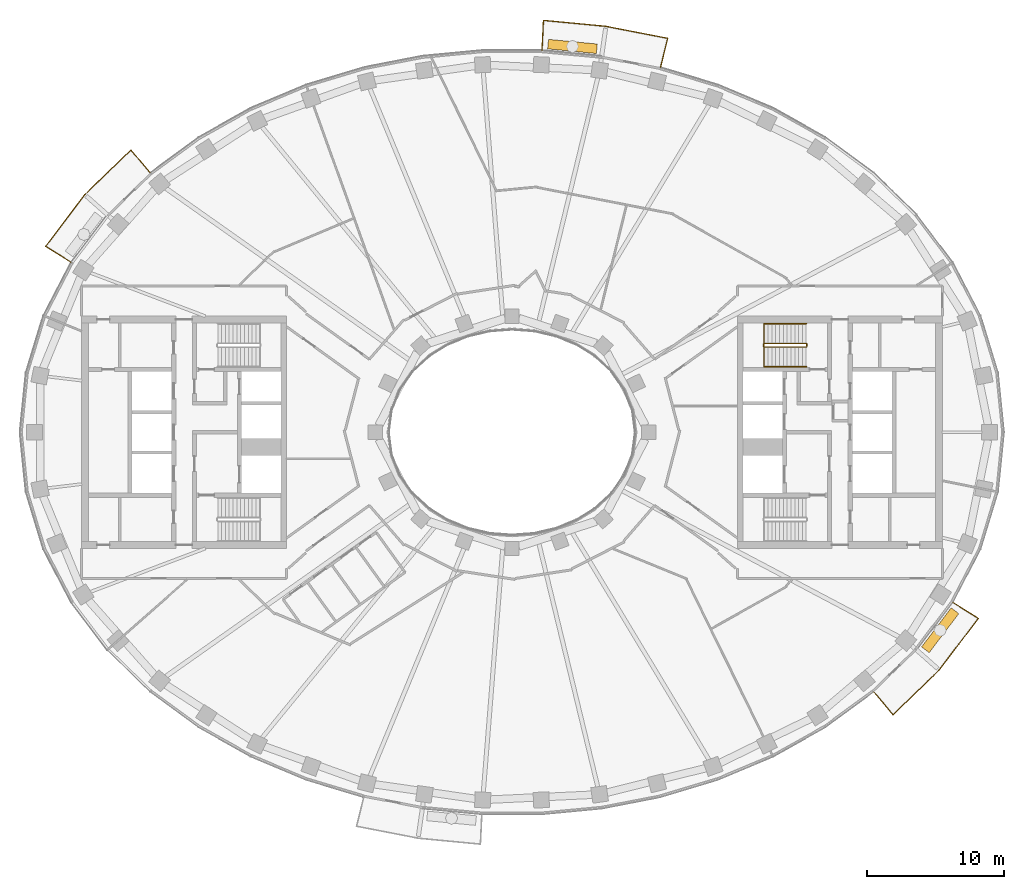
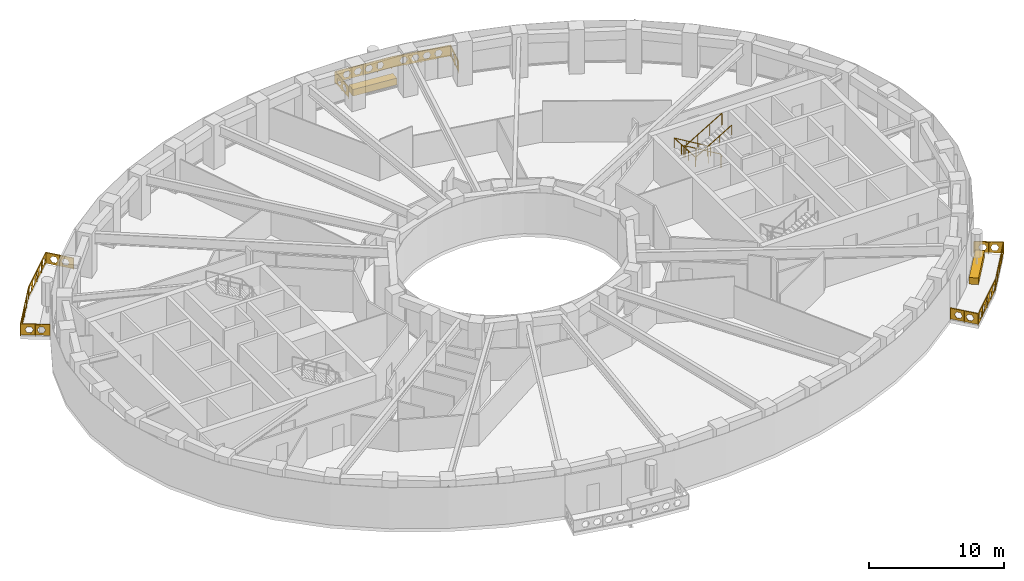
# One storey, part 15 of 16: 5 railings, 2 coverings.
"""IFC4 building model written with IfcOpenShell, lengths in metres."""

from ifc_helpers import new_model, si_unit, direction, frame, origin, origin_2d, place, context, subcontext, project, spatial, polyline, rectangle, outline, extrude, material, type_object, element, save


model = new_model("IFC4")

# Units and contexts
model_context = context("Model", 3, precision=1e-05, world=origin(), true_north=direction((0.0, 1.0)))
body_context = subcontext(model_context, "Body", "Model", "MODEL_VIEW")
ifc_project = project(units=[si_unit("LENGTHUNIT", "METRE"), si_unit("AREAUNIT", "SQUARE_METRE"), si_unit("VOLUMEUNIT", "CUBIC_METRE"), si_unit("PLANEANGLEUNIT", "RADIAN"), si_unit("MASSUNIT", "GRAM", prefix="KILO")], contexts=[model_context])

# Site, building, storey
site_placement = place(None, origin())
site = spatial("IfcSite", under=ifc_project, at=site_placement, CompositionType="ELEMENT")
building_placement = place(site_placement, origin())
building = spatial("IfcBuilding", under=site, at=building_placement, Name="Noorbagh Ring Tower", CompositionType="ELEMENT")
storey_placement = place(building_placement, frame((0.0, 0.0, 178.0)))
storey = spatial("IfcBuildingStorey", under=building, at=storey_placement, Name="L41", CompositionType="ELEMENT", Elevation=178.0)

# Railings
ifc_material_1 = material(Name="Stainless steel", Category="steel")
railing_type_1 = type_object("IfcRailingType", Name="CORE-STAIR-GUARD", PredefinedType="GUARDRAIL", material=ifc_material_1)
railing_1_placement = place(storey_placement, frame((21.580078125, 6.449951171875, 0.0)))
element("IfcRailing", 1, at=railing_1_placement, inside=storey, type_object=railing_type_1, Name="L41 ST3 stair guard", PredefinedType="GUARDRAIL", context=body_context, shape_type="SweptSolid", body=[
    extrude(rectangle(XDim=0.048095703125, YDim=0.048095703125, at=origin_2d()), frame((0.0, 0.0, 1.076171875), z_axis=(0.0, -1.0, 0.0), x_axis=(1.0, 0.0, 0.0)), (0.0, 0.0, 1.0), 0.14990234375),
    extrude(rectangle(XDim=0.048095703125, YDim=0.048095703125, at=origin_2d()), frame((0.0, -0.14990234375, 1.076171875), z_axis=(-0.188775798145, 0.754182335027, 0.628945707965), x_axis=(-0.970072785993, -0.242814311512, 0.0)), (0.0, 0.0, 1.0), 0.26513671875),
    extrude(rectangle(XDim=0.048095703125, YDim=0.048095703125, at=origin_2d()), frame((-0.050048828125, 0.050048828125, 1.24267578125), z_axis=(-0.859308565015, 0.0, 0.511457515432), x_axis=(0.0, -1.0, 0.0)), (0.0, 0.0, 1.0), 3.58447265625),
    extrude(rectangle(XDim=0.048095703125, YDim=0.048095703125, at=origin_2d()), frame((-3.130126953125, 0.050048828125, 3.076171875), z_axis=(-0.707106781187, -0.707106781187, 0.0), x_axis=(0.707106781187, -0.707106781187, 0.0)), (0.0, 0.0, 1.0), 0.07080078125),
    extrude(rectangle(XDim=0.048095703125, YDim=0.048095703125, at=origin_2d()), frame((-3.18017578125, 0.0, 3.076171875), z_axis=(0.0, -1.0, 0.0), x_axis=(1.0, 0.0, 0.0)), (0.0, 0.0, 1.0), 0.14990234375),
    extrude(rectangle(XDim=0.048095703125, YDim=0.048095703125, at=origin_2d()), frame((-3.18017578125, -0.14990234375, 3.076171875), z_axis=(0.27628659633, -0.27628659633, 0.920506074601), x_axis=(0.707106781187, 0.707106781187, 0.0)), (0.0, 0.0, 1.0), 0.18115234375),
    extrude(rectangle(XDim=0.048095703125, YDim=0.048095703125, at=origin_2d()), frame((-3.130126953125, -0.199951171875, 3.24267578125), z_axis=(0.859308565015, 0.0, 0.511457515432), x_axis=(0.0, 1.0, 0.0)), (0.0, 0.0, 1.0), 3.58447265625),
    extrude(rectangle(XDim=0.0419921875, YDim=0.0419921875, at=origin_2d()), origin(), (0.0, 0.0, 1.0), 1.052001953125),
    extrude(rectangle(XDim=0.0419921875, YDim=0.0419921875, at=origin_2d()), frame((-1.07666015625, 0.050048828125, 0.77783203125)), (0.0, 0.0, 1.0), 1.052001953125),
    extrude(rectangle(XDim=0.0419921875, YDim=0.0419921875, at=origin_2d()), frame((-2.103515625, 0.050048828125, 1.388916015625)), (0.0, 0.0, 1.0), 1.052001953125),
    extrude(rectangle(XDim=0.0419921875, YDim=0.0419921875, at=origin_2d()), frame((-3.130126953125, 0.050048828125, 2.0)), (0.0, 0.0, 1.0), 1.052001953125),
    extrude(rectangle(XDim=0.0419921875, YDim=0.0419921875, at=origin_2d()), frame((-3.130126953125, -0.199951171875, 2.166748046875)), (0.0, 0.0, 1.0), 1.052001953125),
    extrude(rectangle(XDim=0.0419921875, YDim=0.0419921875, at=origin_2d()), frame((-2.103515625, -0.199951171875, 2.77783203125)), (0.0, 0.0, 1.0), 1.052001953125),
    extrude(rectangle(XDim=0.0419921875, YDim=0.0419921875, at=origin_2d()), frame((-1.07666015625, -0.199951171875, 3.388916015625)), (0.0, 0.0, 1.0), 1.052001953125),
    extrude(rectangle(XDim=0.0419921875, YDim=0.0419921875, at=origin_2d()), frame((-0.050048828125, -0.199951171875, 4.0)), (0.0, 0.0, 1.0), 1.052001953125),
])
ifc_material_2 = material(Name="Stainless steel", Category="steel")
railing_type_2 = type_object("IfcRailingType", Name="CORE-STAIR-HANDRAIL", PredefinedType="HANDRAIL", material=ifc_material_2)
railing_2_placement = place(storey_placement, frame((21.530029296875, 7.949951171875, 0.166748046875)))
element("IfcRailing", 2, at=railing_2_placement, inside=storey, type_object=railing_type_2, Name="L41 ST3 stair handrail", PredefinedType="HANDRAIL", context=body_context, shape_type="SweptSolid", body=[
    extrude(rectangle(XDim=0.048095703125, YDim=0.048095703125, at=origin_2d()), frame((0.0, 0.0, 0.8759765625), z_axis=(-0.859308565015, 0.0, 0.511457515432), x_axis=(0.0, -1.0, 0.0)), (0.0, 0.0, 1.0), 3.58447265625),
    extrude(rectangle(XDim=0.048095703125, YDim=0.048095703125, at=origin_2d()), frame((-3.080078125, 0.0, 2.708984375), z_axis=(0.0, -0.998601747152, 0.052863509014), x_axis=(1.0, 0.0, 0.0)), (0.0, 0.0, 1.0), 3.154296875),
    extrude(rectangle(XDim=0.048095703125, YDim=0.048095703125, at=origin_2d()), frame((-3.080078125, -3.14990234375, 2.8759765625), z_axis=(0.859308565015, 0.0, 0.511457515432), x_axis=(0.0, 1.0, 0.0)), (0.0, 0.0, 1.0), 3.58447265625),
    extrude(rectangle(XDim=0.0419921875, YDim=0.0419921875, at=origin_2d()), origin(), (0.0, 0.0, 1.0), 0.851806640625),
    extrude(rectangle(XDim=0.0419921875, YDim=0.0419921875, at=origin_2d()), frame((-1.026611328125, 0.0, 0.611083984375)), (0.0, 0.0, 1.0), 0.851806640625),
    extrude(rectangle(XDim=0.0419921875, YDim=0.0419921875, at=origin_2d()), frame((-2.053466796875, 0.0, 1.22216796875)), (0.0, 0.0, 1.0), 0.851806640625),
    extrude(rectangle(XDim=0.0419921875, YDim=0.0419921875, at=origin_2d()), frame((-3.080078125, 0.0, 1.833251953125)), (0.0, 0.0, 1.0), 0.851806640625),
    extrude(rectangle(XDim=0.0419921875, YDim=0.0419921875, at=origin_2d()), frame((-3.080078125, -1.050048828125, 1.888916015625)), (0.0, 0.0, 1.0), 0.851806640625),
    extrude(rectangle(XDim=0.0419921875, YDim=0.0419921875, at=origin_2d()), frame((-3.080078125, -2.099853515625, 1.9443359375)), (0.0, 0.0, 1.0), 0.851806640625),
    extrude(rectangle(XDim=0.0419921875, YDim=0.0419921875, at=origin_2d()), frame((-3.080078125, -3.14990234375, 2.0)), (0.0, 0.0, 1.0), 0.851806640625),
    extrude(rectangle(XDim=0.0419921875, YDim=0.0419921875, at=origin_2d()), frame((-2.053466796875, -3.14990234375, 2.611083984375)), (0.0, 0.0, 1.0), 0.851806640625),
    extrude(rectangle(XDim=0.0419921875, YDim=0.0419921875, at=origin_2d()), frame((-1.026611328125, -3.14990234375, 3.22216796875)), (0.0, 0.0, 1.0), 0.851806640625),
    extrude(rectangle(XDim=0.0419921875, YDim=0.0419921875, at=origin_2d()), frame((0.0, -3.14990234375, 3.833251953125)), (0.0, 0.0, 1.0), 0.851806640625),
])
ifc_material_3 = material(Name="Steel S275 black powder-coated", Category="steel")
railing_type_3 = type_object("IfcRailingType", Name="ENV-GUARD", PredefinedType="GUARDRAIL", material=ifc_material_3)
railing_3_placement = place(storey_placement, frame((10.865234375, 26.6943359375, 0.0)))
element("IfcRailing", 3, at=railing_3_placement, inside=storey, type_object=railing_type_3, Name="Balcony guard BN03", PredefinedType="GUARDRAIL", context=body_context, shape_type="SweptSolid", body=[
    extrude(rectangle(XDim=0.048095703125, YDim=0.048095703125, at=origin_2d()), frame((0.0, 0.0, 1.076171875), z_axis=(0.239848558412, 0.970810315679, 0.0), x_axis=(-0.970810315679, 0.239848558412, 0.0)), (0.0, 0.0, 1.0), 2.20263671875),
    extrude(rectangle(XDim=0.048095703125, YDim=0.048095703125, at=origin_2d()), frame((0.5283203125, 2.138427734375, 1.076171875), z_axis=(-0.981625049064, 0.1908199755, 0.0), x_axis=(-0.1908199755, -0.981625049064, 0.0)), (0.0, 0.0, 1.0), 4.603271484375),
    extrude(rectangle(XDim=0.048095703125, YDim=0.048095703125, at=origin_2d()), frame((-3.990478515625, 3.016845703125, 1.076171875), z_axis=(-0.995477555764, 0.094997031379, 0.0), x_axis=(-0.094997031379, -0.995477555764, 0.0)), (0.0, 0.0, 1.0), 4.59765625),
    extrude(rectangle(XDim=0.048095703125, YDim=0.048095703125, at=origin_2d()), frame((-8.5673828125, 3.45361328125, 1.076171875), z_axis=(-0.047554616162, -0.998868639252, 0.0), x_axis=(0.998868639252, -0.047554616162, 0.0)), (0.0, 0.0, 1.0), 2.202392578125),
    extrude(rectangle(XDim=0.0419921875, YDim=0.0419921875, at=origin_2d()), origin(), (0.0, 0.0, 1.0), 1.052001953125),
    extrude(rectangle(XDim=0.0419921875, YDim=0.0419921875, at=origin_2d()), frame((0.26416015625, 1.0693359375, 0.0)), (0.0, 0.0, 1.0), 1.052001953125),
    extrude(rectangle(XDim=0.0419921875, YDim=0.0419921875, at=origin_2d()), frame((0.5283203125, 2.138427734375, 0.0)), (0.0, 0.0, 1.0), 1.052001953125),
    extrude(rectangle(XDim=0.0419921875, YDim=0.0419921875, at=origin_2d()), frame((-0.601318359375, 2.35791015625, 0.0)), (0.0, 0.0, 1.0), 1.052001953125),
    extrude(rectangle(XDim=0.0419921875, YDim=0.0419921875, at=origin_2d()), frame((-1.73095703125, 2.57763671875, 0.0)), (0.0, 0.0, 1.0), 1.052001953125),
    extrude(rectangle(XDim=0.0419921875, YDim=0.0419921875, at=origin_2d()), frame((-2.86083984375, 2.79736328125, 0.0)), (0.0, 0.0, 1.0), 1.052001953125),
    extrude(rectangle(XDim=0.0419921875, YDim=0.0419921875, at=origin_2d()), frame((-3.990478515625, 3.016845703125, 0.0)), (0.0, 0.0, 1.0), 1.052001953125),
    extrude(rectangle(XDim=0.0419921875, YDim=0.0419921875, at=origin_2d()), frame((-5.134765625, 3.1259765625, 0.0)), (0.0, 0.0, 1.0), 1.052001953125),
    extrude(rectangle(XDim=0.0419921875, YDim=0.0419921875, at=origin_2d()), frame((-6.27880859375, 3.2353515625, 0.0)), (0.0, 0.0, 1.0), 1.052001953125),
    extrude(rectangle(XDim=0.0419921875, YDim=0.0419921875, at=origin_2d()), frame((-7.423095703125, 3.344482421875, 0.0)), (0.0, 0.0, 1.0), 1.052001953125),
    extrude(rectangle(XDim=0.0419921875, YDim=0.0419921875, at=origin_2d()), frame((-8.5673828125, 3.45361328125, 0.0)), (0.0, 0.0, 1.0), 1.052001953125),
    extrude(rectangle(XDim=0.0419921875, YDim=0.0419921875, at=origin_2d()), frame((-8.61962890625, 2.353515625, 0.0)), (0.0, 0.0, 1.0), 1.052001953125),
    extrude(rectangle(XDim=0.0419921875, YDim=0.0419921875, at=origin_2d()), frame((-8.672119140625, 1.253662109375, 0.0)), (0.0, 0.0, 1.0), 1.052001953125),
    extrude(outline(polyline([(0.0, 0.10009765625), (2.20263671875, 0.10009765625), (2.20263671875, 1.031982421875), (0.0, 1.031982421875), (0.0, 0.10009765625)]), holes=[polyline([(0.96142578125, 0.56591796875), (0.806396484375, 0.83447265625), (0.496337890625, 0.83447265625), (0.34130859375, 0.56591796875), (0.496337890625, 0.297607421875), (0.806396484375, 0.297607421875), (0.96142578125, 0.56591796875)]), polyline([(1.861328125, 0.56591796875), (1.706298828125, 0.83447265625), (1.396240234375, 0.83447265625), (1.241455078125, 0.56591796875), (1.396240234375, 0.297607421875), (1.706298828125, 0.297607421875), (1.861328125, 0.56591796875)])]), frame((-0.009765625, 0.00244140625, 0.0), z_axis=(0.970810315679, -0.239848558412, 0.0), x_axis=(0.239848558412, 0.970810315679, 0.0)), (0.0, 0.0, 1.0), 0.02001953125),
    extrude(outline(polyline([(0.0, 0.10009765625), (4.603271484375, 0.10009765625), (4.603271484375, 1.031982421875), (0.0, 1.031982421875), (0.0, 0.10009765625)]), holes=[polyline([(1.26171875, 0.56591796875), (1.106689453125, 0.83447265625), (0.796630859375, 0.83447265625), (0.6416015625, 0.56591796875), (0.796630859375, 0.297607421875), (1.106689453125, 0.297607421875), (1.26171875, 0.56591796875)]), polyline([(2.16162109375, 0.56591796875), (2.006591796875, 0.83447265625), (1.69677734375, 0.83447265625), (1.541748046875, 0.56591796875), (1.69677734375, 0.297607421875), (2.006591796875, 0.297607421875), (2.16162109375, 0.56591796875)]), polyline([(3.061767578125, 0.56591796875), (2.90673828125, 0.83447265625), (2.5966796875, 0.83447265625), (2.441650390625, 0.56591796875), (2.5966796875, 0.297607421875), (2.90673828125, 0.297607421875), (3.061767578125, 0.56591796875)]), polyline([(3.961669921875, 0.56591796875), (3.806640625, 0.83447265625), (3.49658203125, 0.83447265625), (3.341796875, 0.56591796875), (3.49658203125, 0.297607421875), (3.806640625, 0.297607421875), (3.961669921875, 0.56591796875)])]), frame((0.5263671875, 2.128662109375, 0.0), z_axis=(0.1908199755, 0.981625049064, 0.0), x_axis=(-0.981625049064, 0.1908199755, 0.0)), (0.0, 0.0, 1.0), 0.02001953125),
    extrude(outline(polyline([(0.0, 0.10009765625), (4.59765625, 0.10009765625), (4.59765625, 1.031982421875), (0.0, 1.031982421875), (0.0, 0.10009765625)]), holes=[polyline([(1.2587890625, 0.56591796875), (1.103759765625, 0.83447265625), (0.7939453125, 0.83447265625), (0.638916015625, 0.56591796875), (0.7939453125, 0.297607421875), (1.103759765625, 0.297607421875), (1.2587890625, 0.56591796875)]), polyline([(2.158935546875, 0.56591796875), (2.00390625, 0.83447265625), (1.69384765625, 0.83447265625), (1.538818359375, 0.56591796875), (1.69384765625, 0.297607421875), (2.00390625, 0.297607421875), (2.158935546875, 0.56591796875)]), polyline([(3.058837890625, 0.56591796875), (2.90380859375, 0.83447265625), (2.59375, 0.83447265625), (2.43896484375, 0.56591796875), (2.59375, 0.297607421875), (2.90380859375, 0.297607421875), (3.058837890625, 0.56591796875)]), polyline([(3.958740234375, 0.56591796875), (3.803955078125, 0.83447265625), (3.493896484375, 0.83447265625), (3.3388671875, 0.56591796875), (3.493896484375, 0.297607421875), (3.803955078125, 0.297607421875), (3.958740234375, 0.56591796875)])]), frame((-3.991455078125, 3.0068359375, 0.0), z_axis=(0.094997031379, 0.995477555764, 0.0), x_axis=(-0.995477555764, 0.094997031379, 0.0)), (0.0, 0.0, 1.0), 0.02001953125),
    extrude(outline(polyline([(0.0, 0.10009765625), (2.202392578125, 0.10009765625), (2.202392578125, 1.031982421875), (0.0, 1.031982421875), (0.0, 0.10009765625)]), holes=[polyline([(0.961181640625, 0.56591796875), (0.80615234375, 0.83447265625), (0.496337890625, 0.83447265625), (0.34130859375, 0.56591796875), (0.496337890625, 0.297607421875), (0.80615234375, 0.297607421875), (0.961181640625, 0.56591796875)]), polyline([(1.861328125, 0.56591796875), (1.706298828125, 0.83447265625), (1.396240234375, 0.83447265625), (1.2412109375, 0.56591796875), (1.396240234375, 0.297607421875), (1.706298828125, 0.297607421875), (1.861328125, 0.56591796875)])]), frame((-8.557373046875, 3.453125, 0.0), z_axis=(-0.998868639252, 0.047554616162, 0.0), x_axis=(-0.047554616162, -0.998868639252, 0.0)), (0.0, 0.0, 1.0), 0.02001953125),
])
railing_4_placement = place(storey_placement, frame((-26.463134765625, 18.983154296875, 0.0)))
element("IfcRailing", 4, at=railing_4_placement, inside=storey, type_object=railing_type_3, Name="Balcony guard BN06", PredefinedType="GUARDRAIL", context=body_context, shape_type="SweptSolid", body=[
    extrude(rectangle(XDim=0.048095703125, YDim=0.048095703125, at=origin_2d()), frame((0.0, 0.0, 1.076171875), z_axis=(-0.646413574048, 0.762987215677, 0.0), x_axis=(-0.762987215677, -0.646413574048, 0.0)), (0.0, 0.0, 1.0), 2.205322265625),
    extrude(rectangle(XDim=0.048095703125, YDim=0.048095703125, at=origin_2d()), frame((-1.425537109375, 1.6826171875, 1.076171875), z_axis=(-0.717212632946, -0.696854388766, 0.0), x_axis=(0.696854388766, -0.717212632946, 0.0)), (0.0, 0.0, 1.0), 4.700927734375),
    extrude(rectangle(XDim=0.048095703125, YDim=0.048095703125, at=origin_2d()), frame((-4.797119140625, -1.59326171875, 1.076171875), z_axis=(-0.604001613322, -0.796983093362, 0.0), x_axis=(0.796983093362, -0.604001613322, 0.0)), (0.0, 0.0, 1.0), 4.7353515625),
    extrude(rectangle(XDim=0.048095703125, YDim=0.048095703125, at=origin_2d()), frame((-7.6572265625, -5.3671875, 1.076171875), z_axis=(0.844852397829, -0.534999463442, 0.0), x_axis=(0.534999463442, 0.844852397829, 0.0)), (0.0, 0.0, 1.0), 2.207763671875),
    extrude(rectangle(XDim=0.0419921875, YDim=0.0419921875, at=origin_2d()), origin(), (0.0, 0.0, 1.0), 1.052001953125),
    extrude(rectangle(XDim=0.0419921875, YDim=0.0419921875, at=origin_2d()), frame((-0.712890625, 0.84130859375, 0.0)), (0.0, 0.0, 1.0), 1.052001953125),
    extrude(rectangle(XDim=0.0419921875, YDim=0.0419921875, at=origin_2d()), frame((-1.425537109375, 1.6826171875, 0.0)), (0.0, 0.0, 1.0), 1.052001953125),
    extrude(rectangle(XDim=0.0419921875, YDim=0.0419921875, at=origin_2d()), frame((-2.2685546875, 0.86376953125, 0.0)), (0.0, 0.0, 1.0), 1.052001953125),
    extrude(rectangle(XDim=0.0419921875, YDim=0.0419921875, at=origin_2d()), frame((-3.111328125, 0.044677734375, 0.0)), (0.0, 0.0, 1.0), 1.052001953125),
    extrude(rectangle(XDim=0.0419921875, YDim=0.0419921875, at=origin_2d()), frame((-3.9541015625, -0.7744140625, 0.0)), (0.0, 0.0, 1.0), 1.052001953125),
    extrude(rectangle(XDim=0.0419921875, YDim=0.0419921875, at=origin_2d()), frame((-4.797119140625, -1.59326171875, 0.0)), (0.0, 0.0, 1.0), 1.052001953125),
    extrude(rectangle(XDim=0.0419921875, YDim=0.0419921875, at=origin_2d()), frame((-5.51220703125, -2.53662109375, 0.0)), (0.0, 0.0, 1.0), 1.052001953125),
    extrude(rectangle(XDim=0.0419921875, YDim=0.0419921875, at=origin_2d()), frame((-6.22705078125, -3.480224609375, 0.0)), (0.0, 0.0, 1.0), 1.052001953125),
    extrude(rectangle(XDim=0.0419921875, YDim=0.0419921875, at=origin_2d()), frame((-6.942138671875, -4.423828125, 0.0)), (0.0, 0.0, 1.0), 1.052001953125),
    extrude(rectangle(XDim=0.0419921875, YDim=0.0419921875, at=origin_2d()), frame((-7.6572265625, -5.3671875, 0.0)), (0.0, 0.0, 1.0), 1.052001953125),
    extrude(rectangle(XDim=0.0419921875, YDim=0.0419921875, at=origin_2d()), frame((-6.724609375, -5.957763671875, 0.0)), (0.0, 0.0, 1.0), 1.052001953125),
    extrude(rectangle(XDim=0.0419921875, YDim=0.0419921875, at=origin_2d()), frame((-5.7919921875, -6.54833984375, 0.0)), (0.0, 0.0, 1.0), 1.052001953125),
    extrude(outline(polyline([(0.0, 0.10009765625), (2.205322265625, 0.10009765625), (2.205322265625, 1.031982421875), (0.0, 1.031982421875), (0.0, 0.10009765625)]), holes=[polyline([(0.962646484375, 0.56591796875), (0.8076171875, 0.83447265625), (0.49755859375, 0.83447265625), (0.342529296875, 0.56591796875), (0.49755859375, 0.297607421875), (0.8076171875, 0.297607421875), (0.962646484375, 0.56591796875)]), polyline([(1.862548828125, 0.56591796875), (1.707763671875, 0.83447265625), (1.397705078125, 0.83447265625), (1.24267578125, 0.56591796875), (1.397705078125, 0.297607421875), (1.707763671875, 0.297607421875), (1.862548828125, 0.56591796875)])]), frame((-0.007568359375, -0.00634765625, 0.0), z_axis=(0.762987215677, 0.646413574048, 0.0), x_axis=(-0.646413574048, 0.762987215677, 0.0)), (0.0, 0.0, 1.0), 0.02001953125),
    extrude(outline(polyline([(0.0, 0.10009765625), (4.700927734375, 0.10009765625), (4.700927734375, 1.031982421875), (0.0, 1.031982421875), (0.0, 0.10009765625)]), holes=[polyline([(0.860595703125, 0.56591796875), (0.70556640625, 0.83447265625), (0.3955078125, 0.83447265625), (0.240478515625, 0.56591796875), (0.3955078125, 0.297607421875), (0.70556640625, 0.297607421875), (0.860595703125, 0.56591796875)]), polyline([(1.760498046875, 0.56591796875), (1.60546875, 0.83447265625), (1.29541015625, 0.83447265625), (1.140380859375, 0.56591796875), (1.29541015625, 0.297607421875), (1.60546875, 0.297607421875), (1.760498046875, 0.56591796875)]), polyline([(2.660400390625, 0.56591796875), (2.50537109375, 0.83447265625), (2.195556640625, 0.83447265625), (2.04052734375, 0.56591796875), (2.195556640625, 0.297607421875), (2.50537109375, 0.297607421875), (2.660400390625, 0.56591796875)]), polyline([(3.560546875, 0.56591796875), (3.405517578125, 0.83447265625), (3.095458984375, 0.83447265625), (2.9404296875, 0.56591796875), (3.095458984375, 0.297607421875), (3.405517578125, 0.297607421875), (3.560546875, 0.56591796875)]), polyline([(4.46044921875, 0.56591796875), (4.305419921875, 0.83447265625), (3.995361328125, 0.83447265625), (3.840576171875, 0.56591796875), (3.995361328125, 0.297607421875), (4.305419921875, 0.297607421875), (4.46044921875, 0.56591796875)])]), frame((-1.41845703125, 1.675537109375, 0.0), z_axis=(-0.696854388766, 0.717212632946, 0.0), x_axis=(-0.717212632946, -0.696854388766, 0.0)), (0.0, 0.0, 1.0), 0.02001953125),
    extrude(outline(polyline([(0.0, 0.10009765625), (4.7353515625, 0.10009765625), (4.7353515625, 1.031982421875), (0.0, 1.031982421875), (0.0, 0.10009765625)]), holes=[polyline([(0.877685546875, 0.56591796875), (0.72265625, 0.83447265625), (0.41259765625, 0.83447265625), (0.257568359375, 0.56591796875), (0.41259765625, 0.297607421875), (0.72265625, 0.297607421875), (0.877685546875, 0.56591796875)]), polyline([(1.777587890625, 0.56591796875), (1.62255859375, 0.83447265625), (1.312744140625, 0.83447265625), (1.15771484375, 0.56591796875), (1.312744140625, 0.297607421875), (1.62255859375, 0.297607421875), (1.777587890625, 0.56591796875)]), polyline([(2.677734375, 0.56591796875), (2.522705078125, 0.83447265625), (2.212646484375, 0.83447265625), (2.0576171875, 0.56591796875), (2.212646484375, 0.297607421875), (2.522705078125, 0.297607421875), (2.677734375, 0.56591796875)]), polyline([(3.57763671875, 0.56591796875), (3.422607421875, 0.83447265625), (3.112548828125, 0.83447265625), (2.95751953125, 0.56591796875), (3.112548828125, 0.297607421875), (3.422607421875, 0.297607421875), (3.57763671875, 0.56591796875)]), polyline([(4.4775390625, 0.56591796875), (4.32275390625, 0.83447265625), (4.0126953125, 0.83447265625), (3.857666015625, 0.56591796875), (4.0126953125, 0.297607421875), (4.32275390625, 0.297607421875), (4.4775390625, 0.56591796875)])]), frame((-4.7890625, -1.599365234375, 0.0), z_axis=(-0.796983093362, 0.604001613322, 0.0), x_axis=(-0.604001613322, -0.796983093362, 0.0)), (0.0, 0.0, 1.0), 0.02001953125),
    extrude(outline(polyline([(0.0, 0.10009765625), (2.207763671875, 0.10009765625), (2.207763671875, 1.031982421875), (0.0, 1.031982421875), (0.0, 0.10009765625)]), holes=[polyline([(0.9638671875, 0.56591796875), (0.808837890625, 0.83447265625), (0.498779296875, 0.83447265625), (0.343994140625, 0.56591796875), (0.498779296875, 0.297607421875), (0.808837890625, 0.297607421875), (0.9638671875, 0.56591796875)]), polyline([(1.86376953125, 0.56591796875), (1.708984375, 0.83447265625), (1.39892578125, 0.83447265625), (1.243896484375, 0.56591796875), (1.39892578125, 0.297607421875), (1.708984375, 0.297607421875), (1.86376953125, 0.56591796875)])]), frame((-7.65185546875, -5.358642578125, 0.0), z_axis=(-0.534999463442, -0.844852397829, 0.0), x_axis=(0.844852397829, -0.534999463442, 0.0)), (0.0, 0.0, 1.0), 0.02001953125),
])
railing_5_placement = place(storey_placement, frame((26.463134765625, -18.983154296875, 0.0)))
element("IfcRailing", 5, at=railing_5_placement, inside=storey, type_object=railing_type_3, Name="Balcony guard BS06", PredefinedType="GUARDRAIL", context=body_context, shape_type="SweptSolid", body=[
    extrude(rectangle(XDim=0.048095703125, YDim=0.048095703125, at=origin_2d()), frame((0.0, 0.0, 1.076171875), z_axis=(0.646413574048, -0.762987215677, 0.0), x_axis=(0.762987215677, 0.646413574048, 0.0)), (0.0, 0.0, 1.0), 2.205322265625),
    extrude(rectangle(XDim=0.048095703125, YDim=0.048095703125, at=origin_2d()), frame((1.425537109375, -1.6826171875, 1.076171875), z_axis=(0.717212632946, 0.696854388766, 0.0), x_axis=(-0.696854388766, 0.717212632946, 0.0)), (0.0, 0.0, 1.0), 4.700927734375),
    extrude(rectangle(XDim=0.048095703125, YDim=0.048095703125, at=origin_2d()), frame((4.797119140625, 1.59326171875, 1.076171875), z_axis=(0.604001613322, 0.796983093362, 0.0), x_axis=(-0.796983093362, 0.604001613322, 0.0)), (0.0, 0.0, 1.0), 4.7353515625),
    extrude(rectangle(XDim=0.048095703125, YDim=0.048095703125, at=origin_2d()), frame((7.6572265625, 5.3671875, 1.076171875), z_axis=(-0.844852397829, 0.534999463442, 0.0), x_axis=(-0.534999463442, -0.844852397829, 0.0)), (0.0, 0.0, 1.0), 2.207763671875),
    extrude(rectangle(XDim=0.0419921875, YDim=0.0419921875, at=origin_2d()), origin(), (0.0, 0.0, 1.0), 1.052001953125),
    extrude(rectangle(XDim=0.0419921875, YDim=0.0419921875, at=origin_2d()), frame((0.712890625, -0.84130859375, 0.0)), (0.0, 0.0, 1.0), 1.052001953125),
    extrude(rectangle(XDim=0.0419921875, YDim=0.0419921875, at=origin_2d()), frame((1.425537109375, -1.6826171875, 0.0)), (0.0, 0.0, 1.0), 1.052001953125),
    extrude(rectangle(XDim=0.0419921875, YDim=0.0419921875, at=origin_2d()), frame((2.2685546875, -0.86376953125, 0.0)), (0.0, 0.0, 1.0), 1.052001953125),
    extrude(rectangle(XDim=0.0419921875, YDim=0.0419921875, at=origin_2d()), frame((3.111328125, -0.044677734375, 0.0)), (0.0, 0.0, 1.0), 1.052001953125),
    extrude(rectangle(XDim=0.0419921875, YDim=0.0419921875, at=origin_2d()), frame((3.9541015625, 0.7744140625, 0.0)), (0.0, 0.0, 1.0), 1.052001953125),
    extrude(rectangle(XDim=0.0419921875, YDim=0.0419921875, at=origin_2d()), frame((4.797119140625, 1.59326171875, 0.0)), (0.0, 0.0, 1.0), 1.052001953125),
    extrude(rectangle(XDim=0.0419921875, YDim=0.0419921875, at=origin_2d()), frame((5.51220703125, 2.53662109375, 0.0)), (0.0, 0.0, 1.0), 1.052001953125),
    extrude(rectangle(XDim=0.0419921875, YDim=0.0419921875, at=origin_2d()), frame((6.22705078125, 3.480224609375, 0.0)), (0.0, 0.0, 1.0), 1.052001953125),
    extrude(rectangle(XDim=0.0419921875, YDim=0.0419921875, at=origin_2d()), frame((6.942138671875, 4.423828125, 0.0)), (0.0, 0.0, 1.0), 1.052001953125),
    extrude(rectangle(XDim=0.0419921875, YDim=0.0419921875, at=origin_2d()), frame((7.6572265625, 5.3671875, 0.0)), (0.0, 0.0, 1.0), 1.052001953125),
    extrude(rectangle(XDim=0.0419921875, YDim=0.0419921875, at=origin_2d()), frame((6.724609375, 5.957763671875, 0.0)), (0.0, 0.0, 1.0), 1.052001953125),
    extrude(rectangle(XDim=0.0419921875, YDim=0.0419921875, at=origin_2d()), frame((5.7919921875, 6.54833984375, 0.0)), (0.0, 0.0, 1.0), 1.052001953125),
    extrude(outline(polyline([(0.0, 0.10009765625), (2.205322265625, 0.10009765625), (2.205322265625, 1.031982421875), (0.0, 1.031982421875), (0.0, 0.10009765625)]), holes=[polyline([(0.962646484375, 0.56591796875), (0.8076171875, 0.83447265625), (0.49755859375, 0.83447265625), (0.342529296875, 0.56591796875), (0.49755859375, 0.297607421875), (0.8076171875, 0.297607421875), (0.962646484375, 0.56591796875)]), polyline([(1.862548828125, 0.56591796875), (1.707763671875, 0.83447265625), (1.397705078125, 0.83447265625), (1.24267578125, 0.56591796875), (1.397705078125, 0.297607421875), (1.707763671875, 0.297607421875), (1.862548828125, 0.56591796875)])]), frame((0.007568359375, 0.00634765625, 0.0), z_axis=(-0.762987215677, -0.646413574048, 0.0), x_axis=(0.646413574048, -0.762987215677, 0.0)), (0.0, 0.0, 1.0), 0.02001953125),
    extrude(outline(polyline([(0.0, 0.10009765625), (4.700927734375, 0.10009765625), (4.700927734375, 1.031982421875), (0.0, 1.031982421875), (0.0, 0.10009765625)]), holes=[polyline([(0.860595703125, 0.56591796875), (0.70556640625, 0.83447265625), (0.3955078125, 0.83447265625), (0.240478515625, 0.56591796875), (0.3955078125, 0.297607421875), (0.70556640625, 0.297607421875), (0.860595703125, 0.56591796875)]), polyline([(1.760498046875, 0.56591796875), (1.60546875, 0.83447265625), (1.29541015625, 0.83447265625), (1.140380859375, 0.56591796875), (1.29541015625, 0.297607421875), (1.60546875, 0.297607421875), (1.760498046875, 0.56591796875)]), polyline([(2.660400390625, 0.56591796875), (2.50537109375, 0.83447265625), (2.195556640625, 0.83447265625), (2.04052734375, 0.56591796875), (2.195556640625, 0.297607421875), (2.50537109375, 0.297607421875), (2.660400390625, 0.56591796875)]), polyline([(3.560546875, 0.56591796875), (3.405517578125, 0.83447265625), (3.095458984375, 0.83447265625), (2.9404296875, 0.56591796875), (3.095458984375, 0.297607421875), (3.405517578125, 0.297607421875), (3.560546875, 0.56591796875)]), polyline([(4.46044921875, 0.56591796875), (4.305419921875, 0.83447265625), (3.995361328125, 0.83447265625), (3.840576171875, 0.56591796875), (3.995361328125, 0.297607421875), (4.305419921875, 0.297607421875), (4.46044921875, 0.56591796875)])]), frame((1.41845703125, -1.675537109375, 0.0), z_axis=(0.696854388766, -0.717212632946, 0.0), x_axis=(0.717212632946, 0.696854388766, 0.0)), (0.0, 0.0, 1.0), 0.02001953125),
    extrude(outline(polyline([(0.0, 0.10009765625), (4.7353515625, 0.10009765625), (4.7353515625, 1.031982421875), (0.0, 1.031982421875), (0.0, 0.10009765625)]), holes=[polyline([(0.877685546875, 0.56591796875), (0.72265625, 0.83447265625), (0.41259765625, 0.83447265625), (0.257568359375, 0.56591796875), (0.41259765625, 0.297607421875), (0.72265625, 0.297607421875), (0.877685546875, 0.56591796875)]), polyline([(1.777587890625, 0.56591796875), (1.62255859375, 0.83447265625), (1.312744140625, 0.83447265625), (1.15771484375, 0.56591796875), (1.312744140625, 0.297607421875), (1.62255859375, 0.297607421875), (1.777587890625, 0.56591796875)]), polyline([(2.677734375, 0.56591796875), (2.522705078125, 0.83447265625), (2.212646484375, 0.83447265625), (2.0576171875, 0.56591796875), (2.212646484375, 0.297607421875), (2.522705078125, 0.297607421875), (2.677734375, 0.56591796875)]), polyline([(3.57763671875, 0.56591796875), (3.422607421875, 0.83447265625), (3.112548828125, 0.83447265625), (2.95751953125, 0.56591796875), (3.112548828125, 0.297607421875), (3.422607421875, 0.297607421875), (3.57763671875, 0.56591796875)]), polyline([(4.4775390625, 0.56591796875), (4.32275390625, 0.83447265625), (4.0126953125, 0.83447265625), (3.857666015625, 0.56591796875), (4.0126953125, 0.297607421875), (4.32275390625, 0.297607421875), (4.4775390625, 0.56591796875)])]), frame((4.7890625, 1.599365234375, 0.0), z_axis=(0.796983093362, -0.604001613322, 0.0), x_axis=(0.604001613322, 0.796983093362, 0.0)), (0.0, 0.0, 1.0), 0.02001953125),
    extrude(outline(polyline([(0.0, 0.10009765625), (2.207763671875, 0.10009765625), (2.207763671875, 1.031982421875), (0.0, 1.031982421875), (0.0, 0.10009765625)]), holes=[polyline([(0.9638671875, 0.56591796875), (0.808837890625, 0.83447265625), (0.498779296875, 0.83447265625), (0.343994140625, 0.56591796875), (0.498779296875, 0.297607421875), (0.808837890625, 0.297607421875), (0.9638671875, 0.56591796875)]), polyline([(1.86376953125, 0.56591796875), (1.708984375, 0.83447265625), (1.39892578125, 0.83447265625), (1.243896484375, 0.56591796875), (1.39892578125, 0.297607421875), (1.708984375, 0.297607421875), (1.86376953125, 0.56591796875)])]), frame((7.65185546875, 5.358642578125, 0.0), z_axis=(0.534999463442, 0.844852397829, 0.0), x_axis=(-0.844852397829, 0.534999463442, 0.0)), (0.0, 0.0, 1.0), 0.02001953125),
])

# Coverings
ifc_material_4 = material(Name="Concrete C30/37 planter with soil", Category="concrete")
covering_type = type_object("IfcCoveringType", Name="ENV-PLANTER", PredefinedType="CLADDING", material=ifc_material_4)
covering_1_placement = place(storey_placement, frame((4.423828125, 28.2373046875, 0.0), z_axis=(0.0, 0.0, 1.0), x_axis=(-0.995476497323, 0.095008122171, 0.0)))
element("IfcCovering", 6, at=covering_1_placement, inside=storey, type_object=covering_type, Name="PLANTER BN03", ObjectType="PLANTER", PredefinedType="CLADDING", context=body_context, shape_type="SweptSolid", body=[
    extrude(rectangle(XDim=3.58642578125, YDim=0.699951171875, at=origin_2d()), origin(), (0.0, 0.0, 1.0), 0.60009765625),
])
covering_2_placement = place(storey_placement, frame((31.329833984375, -14.4833984375, 0.0), z_axis=(0.0, 0.0, 1.0), x_axis=(0.604020184358, 0.796969018776, 0.0)))
element("IfcCovering", 7, at=covering_2_placement, inside=storey, type_object=covering_type, Name="PLANTER BS06", ObjectType="PLANTER", PredefinedType="CLADDING", context=body_context, shape_type="SweptSolid", body=[
    extrude(rectangle(XDim=3.583251953125, YDim=0.699951171875, at=origin_2d()), origin(), (0.0, 0.0, 1.0), 0.60009765625),
])

save(model, "model.ifc")
